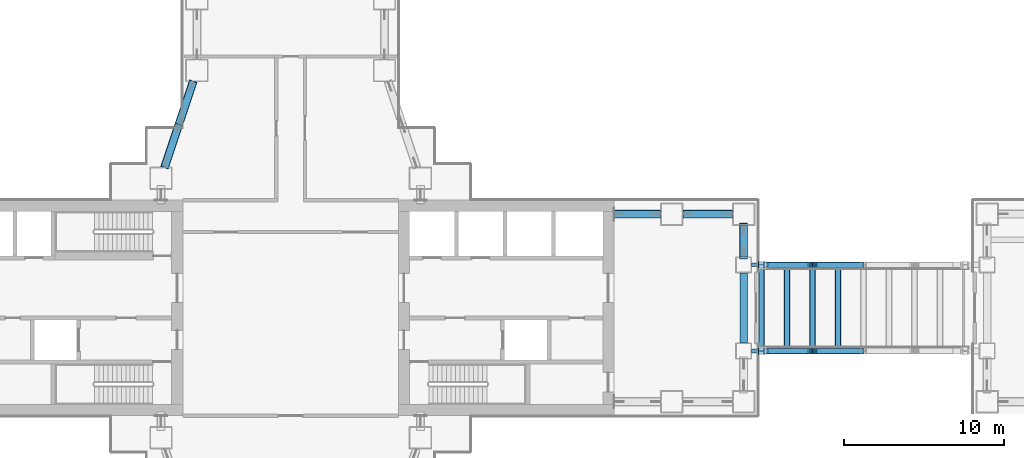
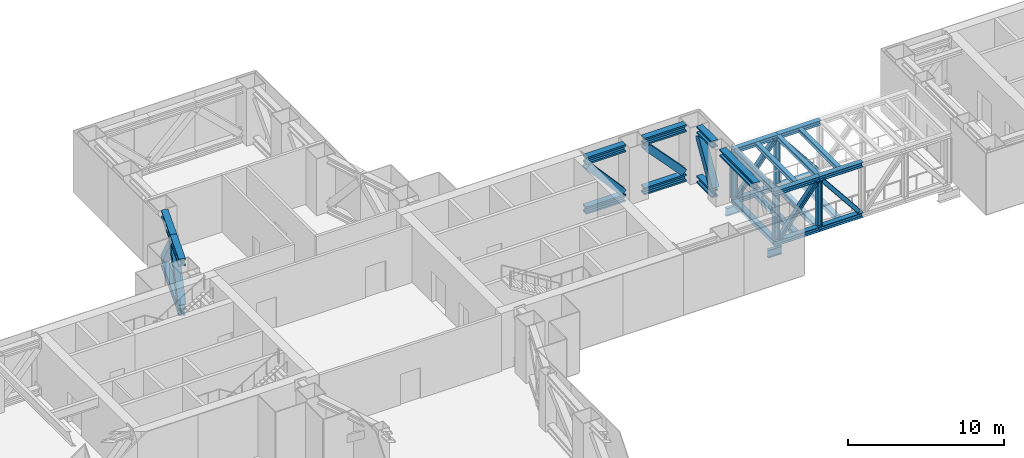
# One storey, part 4 of 23: 34 members, 8 beams.
"""IFC4 building model written with IfcOpenShell, lengths in metres."""

from ifc_helpers import new_model, si_unit, direction, frame, origin, origin_2d, place, context, subcontext, project, spatial, hollow_rectangle, i_section, extrude, material, material_profile, profile_set, type_object, element, save


model = new_model("IFC4")

# Units and contexts
model_context = context("Model", 3, precision=1e-05, world=origin(), true_north=direction((0.0, 1.0)))
body_context = subcontext(model_context, "Body", "Model", "MODEL_VIEW")
ifc_project = project(units=[si_unit("LENGTHUNIT", "METRE"), si_unit("AREAUNIT", "SQUARE_METRE"), si_unit("VOLUMEUNIT", "CUBIC_METRE"), si_unit("PLANEANGLEUNIT", "RADIAN"), si_unit("MASSUNIT", "GRAM", prefix="KILO")], contexts=[model_context])

# Site, building, storey
site_placement = place(None, origin())
site = spatial("IfcSite", under=ifc_project, at=site_placement, CompositionType="ELEMENT")
building_placement = place(site_placement, origin())
building = spatial("IfcBuilding", under=site, at=building_placement, Name="Shamsa Quay Exchange Towers", CompositionType="ELEMENT")
storey_placement = place(building_placement, frame((0.0, 0.0, 77.10009765625)))
storey = spatial("IfcBuildingStorey", under=building, at=storey_placement, Name="L17", CompositionType="ELEMENT", Elevation=77.10009765625)

# Members
ifc_material = material(Name="Steel S355", Category="steel")
ifc_material_profile_1 = material_profile(ifc_material, i_section(OverallWidth=0.22900390625, OverallDepth=0.612060546875, WebThickness=0.011962890625, FlangeThickness=0.01953125, at=origin_2d()), Name="W24x84")
ifc_profile_set_1 = profile_set([ifc_material_profile_1], Name="Steel S355")
member_type_1 = type_object("IfcMemberType", Name="Bearing seat W24x84", PredefinedType="USERDEFINED", material=ifc_profile_set_1)
for number, where, z_axis, x_axis, name in (
    (1, (-4.875, -2.699951171875, -1.02392578125), (1.0, 0.0, 0.0), (0.0, 1.0, 0.0), "Bearing seat BR1 T1 S"),
    (2, (-4.875, 2.699951171875, -1.02392578125), (1.0, 0.0, 0.0), (0.0, 1.0, 0.0), "Bearing seat BR1 T1 N"),
):
    element("IfcMember", number, at=place(storey_placement, frame(where, z_axis=z_axis, x_axis=x_axis)), inside=storey, type_object=member_type_1, Name=name, ObjectType="BEARING SEAT", PredefinedType="USERDEFINED", context=body_context, shape_type="SweptSolid", body=[
        extrude(i_section(OverallWidth=0.22900390625, OverallDepth=0.612060546875, WebThickness=0.011962890625, FlangeThickness=0.01953125, at=origin_2d()), origin(), (0.0, 0.0, 1.0), 1.02490234375),
    ])
ifc_material_profile_2 = material_profile(ifc_material, i_section(OverallWidth=0.454345703125, OverallDepth=0.569580078125, WebThickness=0.077880859375, FlangeThickness=0.124755859375, at=origin_2d()), Name="W14x730")
ifc_profile_set_2 = profile_set([ifc_material_profile_2], Name="Steel S355")
member_type_2 = type_object("IfcMemberType", Name="Belt chord W14x730", PredefinedType="CHORD", material=ifc_profile_set_2)
for number, where, z_axis, x_axis, name in (
    (3, (-5.375, 3.199951171875, 4.1650390625), (0.0, 1.0, 0.0), (-1.0, 0.0, 0.0), "Belt truss chord T1 L17 15"),
    (4, (-5.375, 3.199951171875, 0.28466796875), (0.0, 1.0, 0.0), (-1.0, 0.0, 0.0), "Belt truss chord T1 L17 15"),
):
    element("IfcMember", number, at=place(storey_placement, frame(where, z_axis=z_axis, x_axis=x_axis)), inside=storey, type_object=member_type_2, Name=name, PredefinedType="CHORD", context=body_context, shape_type="SweptSolid", body=[
        extrude(i_section(OverallWidth=0.454345703125, OverallDepth=0.569580078125, WebThickness=0.077880859375, FlangeThickness=0.124755859375, at=origin_2d()), origin(), (0.0, 0.0, 1.0), 1.97509765625),
    ])
member_1_placement = place(storey_placement, frame((-5.375, -2.199951171875, 4.1650390625), z_axis=(0.0, 1.0, 0.0), x_axis=(-1.0, 0.0, 0.0)))
element("IfcMember", 5, at=member_1_placement, inside=storey, type_object=member_type_2, Name="Belt truss chord T1 L17 16", PredefinedType="CHORD", context=body_context, shape_type="SweptSolid", body=[
    extrude(i_section(OverallWidth=0.454345703125, OverallDepth=0.569580078125, WebThickness=0.077880859375, FlangeThickness=0.124755859375, at=origin_2d()), origin(), (0.0, 0.0, 1.0), 4.39990234375),
])
for number, where, z_axis, x_axis, name in (
    (6, (-6.074951171875, 5.875, 4.1650390625), (-1.0, 0.0, 0.0), (0.0, -1.0, 0.0), "Belt truss chord T1 L17 17"),
    (7, (-6.074951171875, 5.875, 0.28466796875), (-1.0, 0.0, 0.0), (0.0, -1.0, 0.0), "Belt truss chord T1 L17 17"),
):
    element("IfcMember", number, at=place(storey_placement, frame(where, z_axis=z_axis, x_axis=x_axis)), inside=storey, type_object=member_type_2, Name=name, PredefinedType="CHORD", context=body_context, shape_type="SweptSolid", body=[
        extrude(i_section(OverallWidth=0.454345703125, OverallDepth=0.569580078125, WebThickness=0.077880859375, FlangeThickness=0.124755859375, at=origin_2d()), origin(), (0.0, 0.0, 1.0), 3.10009765625),
    ])
for number, where, z_axis, x_axis, name in (
    (8, (-39.8583984375, 14.175048828125, 4.1650390625), (-0.316201790943, -0.948691956013, 0.0), (0.948691956013, -0.316201790943, 0.0), "Belt truss chord T1 L17 26"),
    (9, (-39.8583984375, 14.175048828125, 0.28466796875), (-0.316201790943, -0.948691956013, 0.0), (0.948691956013, -0.316201790943, 0.0), "Belt truss chord T1 L17 26"),
    (10, (-40.75, 11.5, 4.1650390625), (-0.316201790943, -0.948691956013, 0.0), (0.948691956013, -0.316201790943, 0.0), "Belt truss chord T1 L17 26"),
    (11, (-40.75, 11.5, 0.28466796875), (-0.316201790943, -0.948691956013, 0.0), (0.948691956013, -0.316201790943, 0.0), "Belt truss chord T1 L17 26"),
):
    element("IfcMember", number, at=place(storey_placement, frame(where, z_axis=z_axis, x_axis=x_axis)), inside=storey, type_object=member_type_2, Name=name, PredefinedType="CHORD", context=body_context, shape_type="SweptSolid", body=[
        extrude(i_section(OverallWidth=0.454345703125, OverallDepth=0.569580078125, WebThickness=0.077880859375, FlangeThickness=0.124755859375, at=origin_2d()), origin(), (0.0, 0.0, 1.0), 2.81982421875),
    ])
ifc_material_profile_3 = material_profile(ifc_material, hollow_rectangle(XDim=0.508056640625, YDim=0.508056640625, WallThickness=0.01904296875, at=origin_2d()), Name="HSS20x20x3/4")
ifc_profile_set_3 = profile_set([ifc_material_profile_3], Name="Steel S355")
member_type_3 = type_object("IfcMemberType", Name="Belt diagonal HSS20x20x3/4", PredefinedType="BRACE", material=ifc_profile_set_3)
member_2_placement = place(storey_placement, frame((-5.375, 3.277587890625, 0.699462890625), z_axis=(0.0, 0.512290751577, 0.858812078308), x_axis=(-1.0, 0.0, 0.0)))
element("IfcMember", 12, at=member_2_placement, inside=storey, type_object=member_type_3, Name="Belt truss diagonal T1 L17 15", PredefinedType="BRACE", context=body_context, shape_type="SweptSolid", body=[
    extrude(hollow_rectangle(XDim=0.508056640625, YDim=0.508056640625, WallThickness=0.01904296875, at=origin_2d()), origin(), (0.0, 0.0, 1.0), 3.55224609375),
])
member_3_placement = place(storey_placement, frame((-6.237548828125, 5.875, 0.742919921875), z_axis=(-0.683452924295, 0.0, 0.729994589208), x_axis=(0.0, -1.0, 0.0)))
element("IfcMember", 13, at=member_3_placement, inside=storey, type_object=member_type_3, Name="Belt truss diagonal T1 L17 17", PredefinedType="BRACE", context=body_context, shape_type="SweptSolid", body=[
    extrude(hollow_rectangle(XDim=0.508056640625, YDim=0.508056640625, WallThickness=0.01904296875, at=origin_2d()), origin(), (0.0, 0.0, 1.0), 4.06005859375),
])
for number, where, z_axis, x_axis, name in (
    (14, (-39.902587890625, 14.0419921875, 0.734130859375), (-0.205029563551, -0.615088690654, 0.761333554166), (0.948683298051, -0.316227766017, 0.0), "Belt truss diagonal T1 L17 26"),
    (15, (-41.597412109375, 8.9580078125, 0.734130859375), (0.205029563551, 0.615088690654, 0.761333554166), (-0.948683298051, 0.316227766017, 0.0), "Belt truss diagonal T1 L17 26"),
):
    element("IfcMember", number, at=place(storey_placement, frame(where, z_axis=z_axis, x_axis=x_axis)), inside=storey, type_object=member_type_3, Name=name, PredefinedType="BRACE", context=body_context, shape_type="SweptSolid", body=[
        extrude(hollow_rectangle(XDim=0.508056640625, YDim=0.508056640625, WallThickness=0.01904296875, at=origin_2d()), origin(), (0.0, 0.0, 1.0), 3.91650390625),
    ])
ifc_material_profile_4 = material_profile(ifc_material, i_section(OverallWidth=0.454345703125, OverallDepth=0.569580078125, WebThickness=0.077880859375, FlangeThickness=0.124755859375, at=origin_2d()), Name="W14x730")
ifc_profile_set_4 = profile_set([ifc_material_profile_4], Name="Steel S355")
member_type_4 = type_object("IfcMemberType", Name="Outrigger chord W14x730", PredefinedType="CHORD", material=ifc_profile_set_4)
for number, where, z_axis, x_axis, name in (
    (16, (-10.574951171875, 5.875, 4.1650390625), (-1.0, 0.0, 0.0), (0.0, -1.0, 0.0), "Outrigger truss chord T1 L17 18"),
    (17, (-10.574951171875, 5.875, 0.28466796875), (-1.0, 0.0, 0.0), (0.0, -1.0, 0.0), "Outrigger truss chord T1 L17 18"),
):
    element("IfcMember", number, at=place(storey_placement, frame(where, z_axis=z_axis, x_axis=x_axis)), inside=storey, type_object=member_type_4, Name=name, PredefinedType="CHORD", context=body_context, shape_type="SweptSolid", body=[
        extrude(i_section(OverallWidth=0.454345703125, OverallDepth=0.569580078125, WebThickness=0.077880859375, FlangeThickness=0.124755859375, at=origin_2d()), origin(), (0.0, 0.0, 1.0), 2.925048828125),
    ])
ifc_material_profile_5 = material_profile(ifc_material, hollow_rectangle(XDim=0.508056640625, YDim=0.508056640625, WallThickness=0.01904296875, at=origin_2d()), Name="HSS20x20x3/4")
ifc_profile_set_5 = profile_set([ifc_material_profile_5], Name="Steel S355")
member_type_5 = type_object("IfcMemberType", Name="Outrigger diagonal HSS20x20x3/4", PredefinedType="BRACE", material=ifc_profile_set_5)
member_4_placement = place(storey_placement, frame((-10.7236328125, 5.875, 0.737548828125), z_axis=(-0.66205079441, 0.0, 0.749458968604), x_axis=(0.0, -1.0, 0.0)))
element("IfcMember", 18, at=member_4_placement, inside=storey, type_object=member_type_5, Name="Outrigger truss diagonal T1 L17 18", PredefinedType="BRACE", context=body_context, shape_type="SweptSolid", body=[
    extrude(hollow_rectangle(XDim=0.508056640625, YDim=0.508056640625, WallThickness=0.01904296875, at=origin_2d()), origin(), (0.0, 0.0, 1.0), 3.968994140625),
])
ifc_material_profile_6 = material_profile(ifc_material, i_section(OverallWidth=0.37255859375, OverallDepth=0.367919921875, WebThickness=0.014892578125, FlangeThickness=0.02392578125, at=origin_2d()), Name="W14x120")
ifc_profile_set_6 = profile_set([ifc_material_profile_6], Name="Steel S355")
member_type_6 = type_object("IfcMemberType", Name="Skybridge chord W14x120", PredefinedType="CHORD", material=ifc_profile_set_6)
member_5_placement = place(storey_placement, frame((-4.449951171875, -2.699951171875, 3.623779296875), z_axis=(1.0, 0.0, 0.0), x_axis=(0.0, 1.0, 0.0)))
element("IfcMember", 19, at=member_5_placement, inside=storey, type_object=member_type_6, Name="Skybridge BR1 truss S top chord", PredefinedType="CHORD", context=body_context, shape_type="SweptSolid", body=[
    extrude(i_section(OverallWidth=0.37255859375, OverallDepth=0.367919921875, WebThickness=0.014892578125, FlangeThickness=0.02392578125, at=origin_2d()), origin(), (0.0, 0.0, 1.0), 3.380615234375),
])
member_6_placement = place(storey_placement, frame((-1.0693359375, -2.699951171875, 3.623779296875), z_axis=(1.0, 0.0, 0.0), x_axis=(0.0, 1.0, 0.0)))
element("IfcMember", 20, at=member_6_placement, inside=storey, type_object=member_type_6, Name="Skybridge BR1 truss S top chord", PredefinedType="CHORD", context=body_context, shape_type="SweptSolid", body=[
    extrude(i_section(OverallWidth=0.37255859375, OverallDepth=0.367919921875, WebThickness=0.014892578125, FlangeThickness=0.02392578125, at=origin_2d()), origin(), (0.0, 0.0, 1.0), 3.1943359375),
])
member_7_placement = place(storey_placement, frame((-4.449951171875, -2.699951171875, -0.333984375), z_axis=(1.0, 0.0, 0.0), x_axis=(0.0, 1.0, 0.0)))
element("IfcMember", 21, at=member_7_placement, inside=storey, type_object=member_type_6, Name="Skybridge BR1 truss S bottom chord", PredefinedType="CHORD", context=body_context, shape_type="SweptSolid", body=[
    extrude(i_section(OverallWidth=0.37255859375, OverallDepth=0.367919921875, WebThickness=0.014892578125, FlangeThickness=0.02392578125, at=origin_2d()), origin(), (0.0, 0.0, 1.0), 3.380615234375),
])
member_8_placement = place(storey_placement, frame((-1.0693359375, -2.699951171875, -0.333984375), z_axis=(1.0, 0.0, 0.0), x_axis=(0.0, 1.0, 0.0)))
element("IfcMember", 22, at=member_8_placement, inside=storey, type_object=member_type_6, Name="Skybridge BR1 truss S bottom chord", PredefinedType="CHORD", context=body_context, shape_type="SweptSolid", body=[
    extrude(i_section(OverallWidth=0.37255859375, OverallDepth=0.367919921875, WebThickness=0.014892578125, FlangeThickness=0.02392578125, at=origin_2d()), origin(), (0.0, 0.0, 1.0), 3.1943359375),
])
member_9_placement = place(storey_placement, frame((-4.449951171875, 2.699951171875, 3.623779296875), z_axis=(1.0, 0.0, 0.0), x_axis=(0.0, 1.0, 0.0)))
element("IfcMember", 23, at=member_9_placement, inside=storey, type_object=member_type_6, Name="Skybridge BR1 truss N top chord", PredefinedType="CHORD", context=body_context, shape_type="SweptSolid", body=[
    extrude(i_section(OverallWidth=0.37255859375, OverallDepth=0.367919921875, WebThickness=0.014892578125, FlangeThickness=0.02392578125, at=origin_2d()), origin(), (0.0, 0.0, 1.0), 3.380615234375),
])
member_10_placement = place(storey_placement, frame((-1.0693359375, 2.699951171875, 3.623779296875), z_axis=(1.0, 0.0, 0.0), x_axis=(0.0, 1.0, 0.0)))
element("IfcMember", 24, at=member_10_placement, inside=storey, type_object=member_type_6, Name="Skybridge BR1 truss N top chord", PredefinedType="CHORD", context=body_context, shape_type="SweptSolid", body=[
    extrude(i_section(OverallWidth=0.37255859375, OverallDepth=0.367919921875, WebThickness=0.014892578125, FlangeThickness=0.02392578125, at=origin_2d()), origin(), (0.0, 0.0, 1.0), 3.1943359375),
])
member_11_placement = place(storey_placement, frame((-4.449951171875, 2.699951171875, -0.333984375), z_axis=(1.0, 0.0, 0.0), x_axis=(0.0, 1.0, 0.0)))
element("IfcMember", 25, at=member_11_placement, inside=storey, type_object=member_type_6, Name="Skybridge BR1 truss N bottom chord", PredefinedType="CHORD", context=body_context, shape_type="SweptSolid", body=[
    extrude(i_section(OverallWidth=0.37255859375, OverallDepth=0.367919921875, WebThickness=0.014892578125, FlangeThickness=0.02392578125, at=origin_2d()), origin(), (0.0, 0.0, 1.0), 3.380615234375),
])
member_12_placement = place(storey_placement, frame((-1.0693359375, 2.699951171875, -0.333984375), z_axis=(1.0, 0.0, 0.0), x_axis=(0.0, 1.0, 0.0)))
element("IfcMember", 26, at=member_12_placement, inside=storey, type_object=member_type_6, Name="Skybridge BR1 truss N bottom chord", PredefinedType="CHORD", context=body_context, shape_type="SweptSolid", body=[
    extrude(i_section(OverallWidth=0.37255859375, OverallDepth=0.367919921875, WebThickness=0.014892578125, FlangeThickness=0.02392578125, at=origin_2d()), origin(), (0.0, 0.0, 1.0), 3.1943359375),
])
ifc_material_profile_7 = material_profile(ifc_material, i_section(OverallWidth=0.3046875, OverallDepth=0.307861328125, WebThickness=0.010009765625, FlangeThickness=0.015380859375, at=origin_2d()), Name="W12x65")
ifc_profile_set_7 = profile_set([ifc_material_profile_7], Name="Steel S355")
member_type_7 = type_object("IfcMemberType", Name="Skybridge diagonal W12x65", PredefinedType="BRACE", material=ifc_profile_set_7)
member_13_placement = place(storey_placement, frame((-4.07763671875, -2.699951171875, -0.150146484375), z_axis=(0.621342825962, 0.0, 0.783538826496), x_axis=(0.0, 1.0, 0.0)))
element("IfcMember", 27, at=member_13_placement, inside=storey, type_object=member_type_7, Name="Skybridge BR1 truss S diagonal", PredefinedType="BRACE", context=body_context, shape_type="SweptSolid", body=[
    extrude(i_section(OverallWidth=0.3046875, OverallDepth=0.307861328125, WebThickness=0.010009765625, FlangeThickness=0.015380859375, at=origin_2d()), origin(), (0.0, 0.0, 1.0), 4.581787109375),
])
member_14_placement = place(storey_placement, frame((-0.907958984375, -2.699951171875, 3.43994140625), z_axis=(0.624630282249, 0.0, -0.780920617283), x_axis=(0.0, 1.0, 0.0)))
element("IfcMember", 28, at=member_14_placement, inside=storey, type_object=member_type_7, Name="Skybridge BR1 truss S diagonal", PredefinedType="BRACE", context=body_context, shape_type="SweptSolid", body=[
    extrude(i_section(OverallWidth=0.3046875, OverallDepth=0.307861328125, WebThickness=0.010009765625, FlangeThickness=0.015380859375, at=origin_2d()), origin(), (0.0, 0.0, 1.0), 4.59716796875),
])
member_15_placement = place(storey_placement, frame((-4.07763671875, 2.699951171875, -0.150146484375), z_axis=(0.621342825962, 0.0, 0.783538826496), x_axis=(0.0, 1.0, 0.0)))
element("IfcMember", 29, at=member_15_placement, inside=storey, type_object=member_type_7, Name="Skybridge BR1 truss N diagonal", PredefinedType="BRACE", context=body_context, shape_type="SweptSolid", body=[
    extrude(i_section(OverallWidth=0.3046875, OverallDepth=0.307861328125, WebThickness=0.010009765625, FlangeThickness=0.015380859375, at=origin_2d()), origin(), (0.0, 0.0, 1.0), 4.581787109375),
])
member_16_placement = place(storey_placement, frame((-0.907958984375, 2.699951171875, 3.43994140625), z_axis=(0.624630282249, 0.0, -0.780920617283), x_axis=(0.0, 1.0, 0.0)))
element("IfcMember", 30, at=member_16_placement, inside=storey, type_object=member_type_7, Name="Skybridge BR1 truss N diagonal", PredefinedType="BRACE", context=body_context, shape_type="SweptSolid", body=[
    extrude(i_section(OverallWidth=0.3046875, OverallDepth=0.307861328125, WebThickness=0.010009765625, FlangeThickness=0.015380859375, at=origin_2d()), origin(), (0.0, 0.0, 1.0), 4.59716796875),
])
ifc_material_profile_8 = material_profile(ifc_material, i_section(OverallWidth=0.3740234375, OverallDepth=0.372314453125, WebThickness=0.016357421875, FlangeThickness=0.026123046875, at=origin_2d()), Name="W14x132")
ifc_profile_set_8 = profile_set([ifc_material_profile_8], Name="Steel S355")
member_type_8 = type_object("IfcMemberType", Name="Skybridge end post W14x132", PredefinedType="POST", material=ifc_profile_set_8)
for number, where, z_axis, x_axis, name in (
    (31, (-4.263916015625, -2.699951171875, -0.150146484375), (0.0, 0.0, 1.0), (0.0, 1.0, 0.0), "Skybridge BR1 truss S post"),
    (32, (-4.263916015625, 2.699951171875, -0.150146484375), (0.0, 0.0, 1.0), (0.0, 1.0, 0.0), "Skybridge BR1 truss N post"),
):
    element("IfcMember", number, at=place(storey_placement, frame(where, z_axis=z_axis, x_axis=x_axis)), inside=storey, type_object=member_type_8, Name=name, PredefinedType="POST", context=body_context, shape_type="SweptSolid", body=[
        extrude(i_section(OverallWidth=0.3740234375, OverallDepth=0.372314453125, WebThickness=0.016357421875, FlangeThickness=0.026123046875, at=origin_2d()), origin(), (0.0, 0.0, 1.0), 3.590087890625),
    ])

# Beams
ifc_material_profile_9 = material_profile(ifc_material, i_section(OverallWidth=0.368896484375, OverallDepth=0.356201171875, WebThickness=0.01123046875, FlangeThickness=0.01806640625, at=origin_2d()), Name="W14x90")
ifc_profile_set_9 = profile_set([ifc_material_profile_9], Name="Steel S355")
beam_type_1 = type_object("IfcBeamType", Name="Skybridge floor beam W14x90", PredefinedType="BEAM", material=ifc_profile_set_9)
for number, where, z_axis, x_axis, name in (
    (33, (-4.263916015625, -2.513671875, -0.328125), (0.0, 1.0, 0.0), (-1.0, 0.0, 0.0), "Skybridge BR1 floor beam"),
    (34, (-2.66650390625, -2.513671875, -0.328125), (0.0, 1.0, 0.0), (-1.0, 0.0, 0.0), "Skybridge BR1 floor beam"),
    (35, (-1.0693359375, -2.513671875, -0.328125), (0.0, 1.0, 0.0), (-1.0, 0.0, 0.0), "Skybridge BR1 floor beam"),
    (36, (0.52783203125, -2.513671875, -0.328125), (0.0, 1.0, 0.0), (-1.0, 0.0, 0.0), "Skybridge BR1 floor beam"),
):
    element("IfcBeam", number, at=place(storey_placement, frame(where, z_axis=z_axis, x_axis=x_axis)), inside=storey, type_object=beam_type_1, Name=name, PredefinedType="BEAM", context=body_context, shape_type="SweptSolid", body=[
        extrude(i_section(OverallWidth=0.368896484375, OverallDepth=0.356201171875, WebThickness=0.01123046875, FlangeThickness=0.01806640625, at=origin_2d()), origin(), (0.0, 0.0, 1.0), 5.02734375),
    ])

# Members
ifc_material_profile_10 = material_profile(ifc_material, i_section(OverallWidth=0.308837890625, OverallDepth=0.32275390625, WebThickness=0.013916015625, FlangeThickness=0.02294921875, at=origin_2d()), Name="W12x96")
ifc_profile_set_10 = profile_set([ifc_material_profile_10], Name="Steel S355")
member_type_9 = type_object("IfcMemberType", Name="Skybridge post W12x96", PredefinedType="POST", material=ifc_profile_set_10)
for number, where, z_axis, x_axis, name in (
    (37, (-1.0693359375, -2.699951171875, -0.150146484375), (0.0, 0.0, 1.0), (0.0, 1.0, 0.0), "Skybridge BR1 truss S post"),
    (38, (-1.0693359375, 2.699951171875, -0.150146484375), (0.0, 0.0, 1.0), (0.0, 1.0, 0.0), "Skybridge BR1 truss N post"),
):
    element("IfcMember", number, at=place(storey_placement, frame(where, z_axis=z_axis, x_axis=x_axis)), inside=storey, type_object=member_type_9, Name=name, PredefinedType="POST", context=body_context, shape_type="SweptSolid", body=[
        extrude(i_section(OverallWidth=0.308837890625, OverallDepth=0.32275390625, WebThickness=0.013916015625, FlangeThickness=0.02294921875, at=origin_2d()), origin(), (0.0, 0.0, 1.0), 3.590087890625),
    ])

# Beams
ifc_material_profile_11 = material_profile(ifc_material, i_section(OverallWidth=0.3046875, OverallDepth=0.307861328125, WebThickness=0.010009765625, FlangeThickness=0.015380859375, at=origin_2d()), Name="W12x65")
ifc_profile_set_11 = profile_set([ifc_material_profile_11], Name="Steel S355")
beam_type_2 = type_object("IfcBeamType", Name="Skybridge roof beam W12x65", PredefinedType="BEAM", material=ifc_profile_set_11)
for number, where, z_axis, x_axis, name in (
    (39, (-4.263916015625, -2.513671875, 3.65380859375), (0.0, 1.0, 0.0), (-1.0, 0.0, 0.0), "Skybridge BR1 roof beam"),
    (40, (-2.66650390625, -2.513671875, 3.65380859375), (0.0, 1.0, 0.0), (-1.0, 0.0, 0.0), "Skybridge BR1 roof beam"),
    (41, (-1.0693359375, -2.513671875, 3.65380859375), (0.0, 1.0, 0.0), (-1.0, 0.0, 0.0), "Skybridge BR1 roof beam"),
    (42, (0.52783203125, -2.513671875, 3.65380859375), (0.0, 1.0, 0.0), (-1.0, 0.0, 0.0), "Skybridge BR1 roof beam"),
):
    element("IfcBeam", number, at=place(storey_placement, frame(where, z_axis=z_axis, x_axis=x_axis)), inside=storey, type_object=beam_type_2, Name=name, PredefinedType="BEAM", context=body_context, shape_type="SweptSolid", body=[
        extrude(i_section(OverallWidth=0.3046875, OverallDepth=0.307861328125, WebThickness=0.010009765625, FlangeThickness=0.015380859375, at=origin_2d()), origin(), (0.0, 0.0, 1.0), 5.02734375),
    ])

save(model, "model.ifc")
